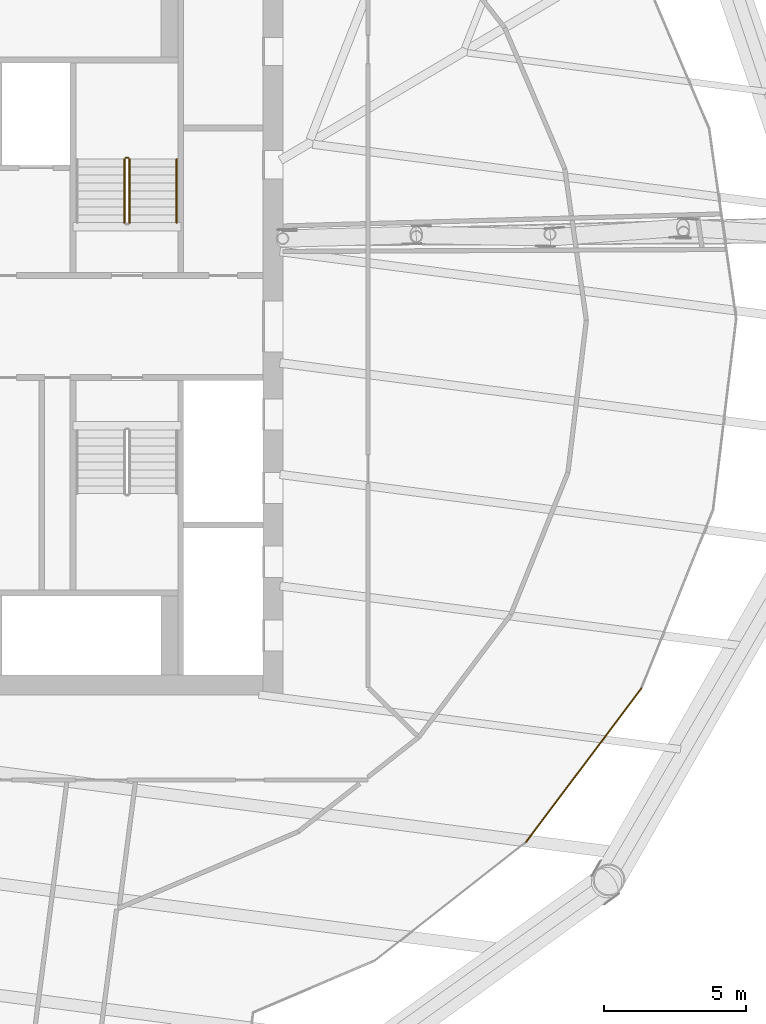
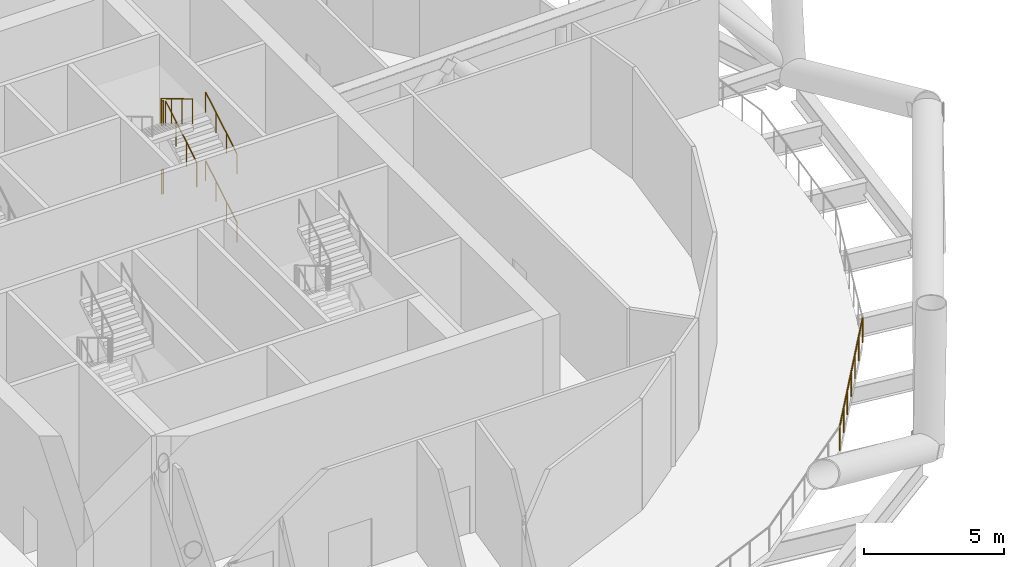
# One storey, part 34 of 36: 7 railings.
"""IFC4 building model written with IfcOpenShell, lengths in metres."""

import ifcopenshell
import ifcopenshell.guid

model = None  # the IFC model being written
_history = None  # IfcOwnerHistory: only IFC2X3 demands one
_inside = {}  # id of a spatial element -> (the spatial element, [elements in it])
_under = {}  # id of a project, library or spatial element -> (it, [spatial elements below it])
_declared = {}  # id of a project -> (the project, [libraries it declares])
_typed = {}  # id of a type object -> (the type object, [elements of that type])
_made_of = {}  # id of a material, layer set ... -> (it, [elements and type objects made of it])


def new_model(schema):
    """Start an empty IFC model of exactly this schema.

    Asked for "IFC4X3", IfcOpenShell would pick the latest addendum, in which some entities
    have other attributes; the version numbers below select the first issue.
    IFC2X3 requires an IfcOwnerHistory on every rooted entity: one is made here for all.
    """
    global model, _history
    if schema == "IFC4X3":
        model = ifcopenshell.file(schema_version=(4, 3, 0, 0))
    else:
        model = ifcopenshell.file(schema=schema)
    _inside.clear()
    _under.clear()
    _declared.clear()
    _typed.clear()
    _made_of.clear()
    _history = None
    if model.schema == "IFC2X3":
        org = make("IfcOrganization", Name="unknown")
        user = make(
            "IfcPersonAndOrganization",
            ThePerson=make("IfcPerson", FamilyName="unknown"),
            TheOrganization=org,
        )
        app = make(
            "IfcApplication",
            ApplicationDeveloper=org,
            Version="unknown",
            ApplicationFullName="unknown",
            ApplicationIdentifier="unknown",
        )
        _history = make(
            "IfcOwnerHistory",
            OwningUser=user,
            OwningApplication=app,
            ChangeAction="ADDED",
            CreationDate=0,
        )
    return model


def make(cls, **values):
    """One entity of the class cls with the attributes given. An attribute that is None is left unset."""
    return model.create_entity(
        cls, **{name: value for name, value in values.items() if value is not None}
    )


def rooted(cls, **values):
    """An entity with a GlobalId (a new one), such as an element, a storey or a relation."""
    return make(cls, GlobalId=ifcopenshell.guid.new(), OwnerHistory=_history, **values)


def si_unit(unit_type, name, prefix=None):
    """IfcSIUnit, for example si_unit("LENGTHUNIT", "METRE", prefix="MILLI")."""
    return make("IfcSIUnit", UnitType=unit_type, Prefix=prefix, Name=name)


def assignment(units):
    """IfcUnitAssignment: the units of a project."""
    return None if units is None else make("IfcUnitAssignment", Units=units)


def point(xyz):
    """IfcCartesianPoint."""
    return None if xyz is None else make("IfcCartesianPoint", Coordinates=xyz)


def direction(xyz):
    """IfcDirection."""
    return None if xyz is None else make("IfcDirection", DirectionRatios=xyz)


def frame(location, z_axis=None, x_axis=None):
    """IfcAxis2Placement3D, a coordinate frame: its origin and axes. An axis left out is left unset."""
    return make(
        "IfcAxis2Placement3D",
        Location=point(location),
        Axis=direction(z_axis),
        RefDirection=direction(x_axis),
    )


def frame_2d(location, x_axis=None):
    """IfcAxis2Placement2D, a coordinate frame in the plane: its origin and x axis."""
    return make(
        "IfcAxis2Placement2D", Location=point(location), RefDirection=direction(x_axis)
    )


def origin():
    """The frame at (0, 0, 0) with its axes left unset."""
    return frame((0.0, 0.0, 0.0))


def origin_2d():
    """The frame at (0, 0) in the plane with its x axis left unset."""
    return frame_2d((0.0, 0.0))


def place(relative_to, where):
    """IfcLocalPlacement: puts the frame where relative to a parent placement (None: the world)."""
    return make(
        "IfcLocalPlacement", PlacementRelTo=relative_to, RelativePlacement=where
    )


def context(
    kind, dimensions, precision=None, world=None, true_north=None, identifier=None
):
    """IfcGeometricRepresentationContext, for example the 3D "Model" context."""
    return make(
        "IfcGeometricRepresentationContext",
        ContextIdentifier=identifier,
        ContextType=kind,
        CoordinateSpaceDimension=dimensions,
        Precision=precision,
        WorldCoordinateSystem=world,
        TrueNorth=true_north,
    )


def subcontext(parent, identifier, kind, view, scale=None):
    """IfcGeometricRepresentationSubContext, for example "Body" below "Model"."""
    return make(
        "IfcGeometricRepresentationSubContext",
        ContextIdentifier=identifier,
        ContextType=kind,
        ParentContext=parent,
        TargetScale=scale,
        TargetView=view,
    )


def project(units=None, contexts=None):
    """IfcProject with its units and contexts."""
    return rooted(
        "IfcProject",
        Name="project",
        RepresentationContexts=contexts,
        UnitsInContext=assignment(units),
    )


def spatial(cls, under=None, at=None, **own):
    """A site, building, storey or space (cls), placed at a placement, below another one or the project."""
    s = rooted(cls, ObjectPlacement=at, **own)
    if under is not None:
        _under.setdefault(under.id(), (under, []))[1].append(s)
    return s


def profile(cls, at=None, kind="AREA", **sizes):
    """A parametric profile (cls). Its sizes go by their IFC names, for example OverallWidth=200.0."""
    return make(cls, ProfileType=kind, Position=at, **sizes)


def circle(**sizes):
    """IfcCircleProfileDef."""
    return profile("IfcCircleProfileDef", **sizes)


def extrude(swept, where, along, depth):
    """IfcExtrudedAreaSolid: the profile swept, set in the frame where, extruded along a direction by depth."""
    return make(
        "IfcExtrudedAreaSolid",
        SweptArea=swept,
        Position=where,
        ExtrudedDirection=direction(along),
        Depth=depth,
    )


def shape(context_of_items, identifier, shape_type, items):
    """IfcShapeRepresentation: the items that make up one representation, for example the "Body"."""
    return make(
        "IfcShapeRepresentation",
        ContextOfItems=context_of_items,
        RepresentationIdentifier=identifier,
        RepresentationType=shape_type,
        Items=items,
    )


def material(Name=None, Category=None):
    """IfcMaterial."""
    return make("IfcMaterial", Name=Name, Category=Category)


def made_of(thing, what):
    """Note that an element or type object is made of a material, layer set ...; save() writes the relation."""
    if what is not None:
        _made_of.setdefault(what.id(), (what, []))[1].append(thing)
    return thing


def type_object(cls, material=None, **own):
    """A type object (cls), such as IfcWallType, which elements share."""
    return made_of(rooted(cls, **own), material)


def element(
    cls,
    number,
    at=None,
    inside=None,
    cuts=None,
    type_object=None,
    material=None,
    context=None,
    identifier="Body",
    shape_type=None,
    held_by="IfcProductDefinitionShape",
    body=None,
    shapes=None,
    **own,
):
    """One element of the class cls, such as IfcWall. Its Tag is "e" and its number.

    at: its placement. inside: the storey or other place that contains it. cuts: it is an
    opening in that element (IfcRelVoidsElement). A single representation is given by context,
    identifier, shape_type and body (its items); several are given by shapes. held_by: the class
    of the entity that holds the representations. save() writes the other relations.
    """
    e = rooted(cls, Tag="e%d" % number, ObjectPlacement=at, **own)
    if body is not None:
        shapes = [shape(context, identifier, shape_type, body)]
    if shapes is not None:
        e.Representation = make(held_by, Representations=shapes)
    if inside is not None:
        _inside.setdefault(inside.id(), (inside, []))[1].append(e)
    if cuts is not None:
        rooted(
            "IfcRelVoidsElement", RelatingBuildingElement=cuts, RelatedOpeningElement=e
        )
    if type_object is not None:
        _typed.setdefault(type_object.id(), (type_object, []))[1].append(e)
    return made_of(e, material)


def aggregate(whole, parts):
    """IfcRelAggregates: a whole, such as a stair, and the parts it consists of."""
    return rooted("IfcRelAggregates", RelatingObject=whole, RelatedObjects=parts)


def save(model, path):
    """Write the relations noted so far, then the file.

    IfcRelAggregates (storeys below a building ...), IfcRelContainedInSpatialStructure (elements
    in a storey), IfcRelDefinesByType, IfcRelAssociatesMaterial and IfcRelDeclares: one each for
    every whole, place, type object, material and project.
    """
    for whole, parts in _under.values():
        aggregate(whole, parts)
    for where, things in _inside.values():
        rooted(
            "IfcRelContainedInSpatialStructure",
            RelatedElements=things,
            RelatingStructure=where,
        )
    for kind, things in _typed.values():
        rooted("IfcRelDefinesByType", RelatedObjects=things, RelatingType=kind)
    for what, things in _made_of.values():
        rooted("IfcRelAssociatesMaterial", RelatedObjects=things, RelatingMaterial=what)
    for by, libraries in _declared.values():
        rooted("IfcRelDeclares", RelatingContext=by, RelatedDefinitions=libraries)
    model.write(path)


model = new_model("IFC4")

# Units and contexts
model_context = context("Model", 3, precision=1e-05, world=origin(), true_north=direction((0.0, 1.0)))
body_context = subcontext(model_context, "Body", "Model", "MODEL_VIEW")
ifc_project = project(units=[si_unit("LENGTHUNIT", "METRE"), si_unit("AREAUNIT", "SQUARE_METRE"), si_unit("VOLUMEUNIT", "CUBIC_METRE"), si_unit("PLANEANGLEUNIT", "RADIAN"), si_unit("MASSUNIT", "GRAM", prefix="KILO")], contexts=[model_context])

# Site, building, storey
site_placement = place(None, origin())
site = spatial("IfcSite", under=ifc_project, at=site_placement, CompositionType="ELEMENT")
building_placement = place(site_placement, origin())
building = spatial("IfcBuilding", under=site, at=building_placement, Name="Tarsis Ring Headquarters", CompositionType="ELEMENT")
storey_placement = place(building_placement, frame((0.0, 0.0, 194.39990234375)))
storey = spatial("IfcBuildingStorey", under=building, at=storey_placement, Name="L45", CompositionType="ELEMENT", Elevation=194.39990234375)

# Railings
ifc_material_1 = material(Name="Steel S355", Category="steel")
railing_type_1 = type_object("IfcRailingType", Name="Core stair guard 1100", PredefinedType="GUARDRAIL", material=ifc_material_1)
railing_1_placement = place(storey_placement, frame((4.5400390625, 5.949951171875, 1.5)))
element("IfcRailing", 1, at=railing_1_placement, inside=storey, type_object=railing_type_1, Name="L45 ST2 stair guard 2", PredefinedType="GUARDRAIL", context=body_context, shape_type="SweptSolid", body=[
    extrude(circle(Radius=0.02392578125, at=origin_2d()), frame((0.0, 0.0, 1.076171875), z_axis=(-1.0, 0.0, 0.0), x_axis=(0.0, -1.0, 0.0)), (0.0, 0.0, 1.0), 0.080078125),
    extrude(circle(Radius=0.02099609375, at=origin_2d()), origin(), (0.0, 0.0, 1.0), 1.052001953125),
    extrude(circle(Radius=0.02099609375, at=origin_2d()), frame((-0.080078125, 0.0, 0.0)), (0.0, 0.0, 1.0), 1.052001953125),
])
railing_2_placement = place(storey_placement, frame((4.590087890625, 3.659912109375, 3.166748046875)))
element("IfcRailing", 2, at=railing_2_placement, inside=storey, type_object=railing_type_1, Name="L45 ST2 stair guard 5", PredefinedType="GUARDRAIL", context=body_context, shape_type="SweptSolid", body=[
    extrude(circle(Radius=0.02392578125, at=origin_2d()), frame((0.0, 0.0, 1.076171875), z_axis=(0.0, 0.859305625298, 0.511462454469), x_axis=(-1.0, 0.0, 0.0)), (0.0, 0.0, 1.0), 2.606689453125),
    extrude(circle(Radius=0.02099609375, at=origin_2d()), origin(), (0.0, 0.0, 1.0), 1.052001953125),
    extrude(circle(Radius=0.02099609375, at=origin_2d()), frame((0.0, 0.74658203125, 0.4443359375)), (0.0, 0.0, 1.0), 1.052001953125),
    extrude(circle(Radius=0.02099609375, at=origin_2d()), frame((0.0, 1.493408203125, 0.888916015625)), (0.0, 0.0, 1.0), 1.052001953125),
    extrude(circle(Radius=0.02099609375, at=origin_2d()), frame((0.0, 2.239990234375, 1.333251953125)), (0.0, 0.0, 1.0), 1.052001953125),
])
railing_3_placement = place(storey_placement, frame((4.5400390625, 5.949951171875, 4.5)))
element("IfcRailing", 3, at=railing_3_placement, inside=storey, type_object=railing_type_1, Name="L45 ST2 stair guard 6", PredefinedType="GUARDRAIL", context=body_context, shape_type="SweptSolid", body=[
    extrude(circle(Radius=0.02392578125, at=origin_2d()), frame((0.0, 0.0, 1.076171875), z_axis=(-1.0, 0.0, 0.0), x_axis=(0.0, -1.0, 0.0)), (0.0, 0.0, 1.0), 0.080078125),
    extrude(circle(Radius=0.02099609375, at=origin_2d()), origin(), (0.0, 0.0, 1.0), 1.052001953125),
    extrude(circle(Radius=0.02099609375, at=origin_2d()), frame((-0.080078125, 0.0, 0.0)), (0.0, 0.0, 1.0), 1.052001953125),
])
railing_4_placement = place(storey_placement, frame((4.409912109375, 5.89990234375, 4.666748046875)))
element("IfcRailing", 4, at=railing_4_placement, inside=storey, type_object=railing_type_1, Name="L45 ST2 stair guard 7", PredefinedType="GUARDRAIL", context=body_context, shape_type="SweptSolid", body=[
    extrude(circle(Radius=0.02392578125, at=origin_2d()), frame((0.0, 0.0, 1.076171875), z_axis=(0.0, -0.859305625298, 0.511462454469), x_axis=(1.0, 0.0, 0.0)), (0.0, 0.0, 1.0), 2.606689453125),
    extrude(circle(Radius=0.02099609375, at=origin_2d()), origin(), (0.0, 0.0, 1.0), 1.052001953125),
    extrude(circle(Radius=0.02099609375, at=origin_2d()), frame((0.0, -0.74658203125, 0.4443359375)), (0.0, 0.0, 1.0), 1.052001953125),
    extrude(circle(Radius=0.02099609375, at=origin_2d()), frame((0.0, -1.493408203125, 0.888916015625)), (0.0, 0.0, 1.0), 1.052001953125),
    extrude(circle(Radius=0.02099609375, at=origin_2d()), frame((0.0, -2.239990234375, 1.333251953125)), (0.0, 0.0, 1.0), 1.052001953125),
])
railing_type_2 = type_object("IfcRailingType", Name="Core stair handrail 900", PredefinedType="HANDRAIL", material=ifc_material_1)
for number, where, name in (
    (5, (6.25, 3.659912109375, 0.166748046875), "L45 ST2 stair handrail 1"),
    (6, (6.25, 3.659912109375, 3.166748046875), "L45 ST2 stair handrail 3"),
):
    element("IfcRailing", number, at=place(storey_placement, frame(where)), inside=storey, type_object=railing_type_2, Name=name, PredefinedType="HANDRAIL", context=body_context, shape_type="SweptSolid", body=[
        extrude(circle(Radius=0.02392578125, at=origin_2d()), frame((0.0, 0.0, 0.8759765625), z_axis=(0.0, 0.859305625298, 0.511462454469), x_axis=(-1.0, 0.0, 0.0)), (0.0, 0.0, 1.0), 2.606689453125),
        extrude(circle(Radius=0.02099609375, at=origin_2d()), origin(), (0.0, 0.0, 1.0), 0.851806640625),
        extrude(circle(Radius=0.02099609375, at=origin_2d()), frame((0.0, 0.74658203125, 0.4443359375)), (0.0, 0.0, 1.0), 0.851806640625),
        extrude(circle(Radius=0.02099609375, at=origin_2d()), frame((0.0, 1.493408203125, 0.888916015625)), (0.0, 0.0, 1.0), 0.851806640625),
        extrude(circle(Radius=0.02099609375, at=origin_2d()), frame((0.0, 2.239990234375, 1.333251953125)), (0.0, 0.0, 1.0), 0.851806640625),
    ])
ifc_material_2 = material(Name="Stainless steel guard", Category="steel")
railing_type_3 = type_object("IfcRailingType", Name="Guard rail with mesh infill 1100", PredefinedType="GUARDRAIL", material=ifc_material_2)
railing_5_placement = place(storey_placement, frame((18.576171875, -18.191162109375, 0.0)))
element("IfcRailing", 7, at=railing_5_placement, inside=storey, type_object=railing_type_3, Name="Guard L45-19", PredefinedType="GUARDRAIL", context=body_context, shape_type="SweptSolid", body=[
    extrude(circle(Radius=0.030029296875, at=origin_2d()), frame((0.0, 0.0, 1.070068359375), z_axis=(0.600437298304, 0.799671839447, 0.0), x_axis=(-0.799671839447, 0.600437298304, 0.0)), (0.0, 0.0, 1.0), 6.787353515625),
    extrude(circle(Radius=0.02490234375, at=origin_2d()), origin(), (0.0, 0.0, 1.0), 1.0400390625),
    extrude(circle(Radius=0.02490234375, at=origin_2d()), frame((0.67919921875, 0.904541015625, 0.0)), (0.0, 0.0, 1.0), 1.0400390625),
    extrude(circle(Radius=0.02490234375, at=origin_2d()), frame((1.3583984375, 1.809326171875, 0.0)), (0.0, 0.0, 1.0), 1.0400390625),
    extrude(circle(Radius=0.02490234375, at=origin_2d()), frame((2.03759765625, 2.7138671875, 0.0)), (0.0, 0.0, 1.0), 1.0400390625),
    extrude(circle(Radius=0.02490234375, at=origin_2d()), frame((2.717041015625, 3.618408203125, 0.0)), (0.0, 0.0, 1.0), 1.0400390625),
    extrude(circle(Radius=0.02490234375, at=origin_2d()), frame((3.396240234375, 4.523193359375, 0.0)), (0.0, 0.0, 1.0), 1.0400390625),
    extrude(circle(Radius=0.02490234375, at=origin_2d()), frame((4.075439453125, 5.427734375, 0.0)), (0.0, 0.0, 1.0), 1.0400390625),
])

save(model, "model.ifc")
